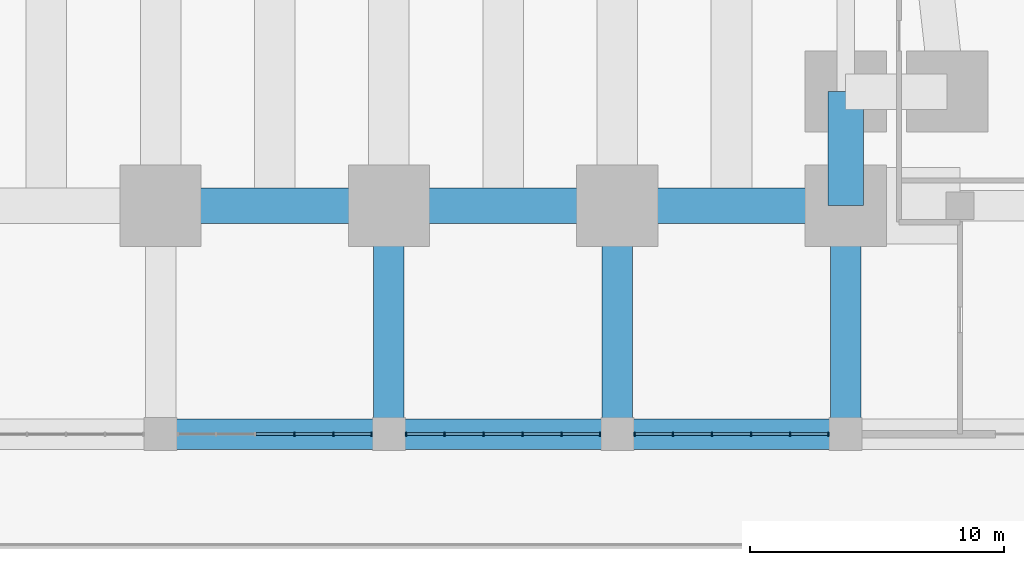
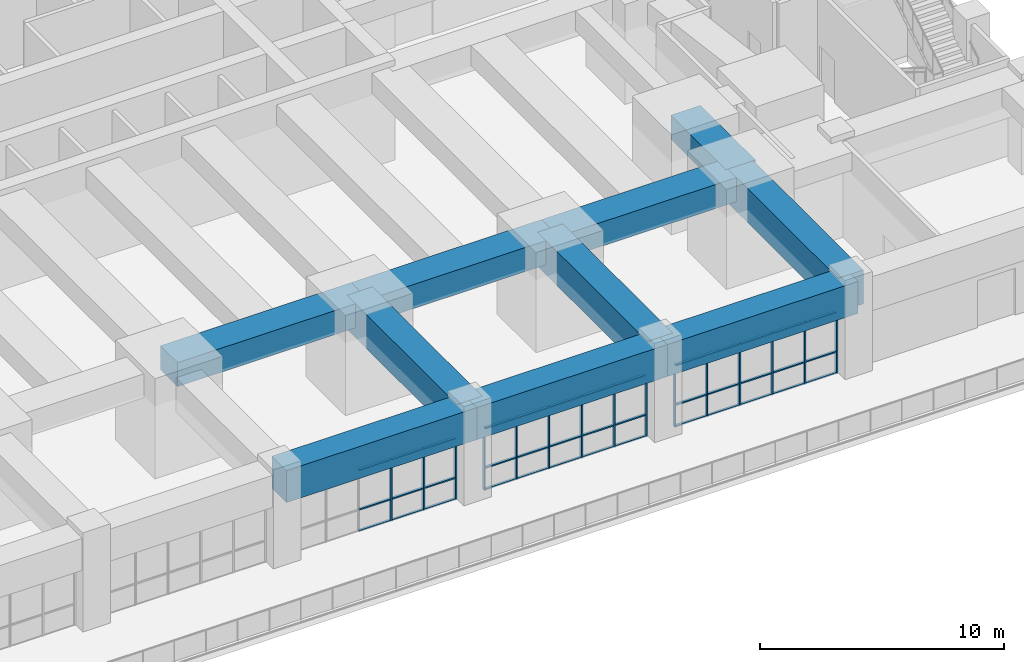
# One storey, part 6 of 27: 54 members, 10 beams, 3 elements without a shape of their own.
"""IFC4 building model written with IfcOpenShell, lengths in metres."""

from ifc_helpers import new_model, si_unit, direction, frame, origin, origin_2d, place, context, subcontext, project, spatial, rectangle, extrude, material, material_profile, profile_set, type_object, element, aggregate, save


model = new_model("IFC4")

# Units and contexts
model_context = context("Model", 3, precision=1e-05, world=origin(), true_north=direction((0.0, 1.0)))
body_context = subcontext(model_context, "Body", "Model", "MODEL_VIEW")
ifc_project = project(units=[si_unit("LENGTHUNIT", "METRE"), si_unit("AREAUNIT", "SQUARE_METRE"), si_unit("VOLUMEUNIT", "CUBIC_METRE"), si_unit("PLANEANGLEUNIT", "RADIAN"), si_unit("MASSUNIT", "GRAM", prefix="KILO")], contexts=[model_context])

# Site, building, storey
site_placement = place(None, origin())
site = spatial("IfcSite", under=ifc_project, at=site_placement, CompositionType="ELEMENT")
building_placement = place(site_placement, origin())
building = spatial("IfcBuilding", under=site, at=building_placement, Name="Kilele Tower Hotel", CompositionType="ELEMENT")
storey_placement = place(building_placement, frame((0.0, 0.0, 6.0)))
storey = spatial("IfcBuildingStorey", under=building, at=storey_placement, Name="L01", CompositionType="ELEMENT", Elevation=6.0)

# Beams
ifc_material_1 = material(Name="Concrete C60/75", Category="concrete")
ifc_material_profile_1 = material_profile(ifc_material_1, rectangle(XDim=1.199951171875, YDim=1.60009765625, at=origin_2d()))
ifc_profile_set_1 = profile_set([ifc_material_profile_1], Name="Concrete C60/75")
beam_type_1 = type_object("IfcBeamType", Name="Beam RC 1200x1600 C60/75", PredefinedType="BEAM", material=ifc_profile_set_1)
for number, where, z_axis, x_axis, name in (
    (1, (18.0, -9.0, 3.89990234375), (1.0, 0.0, 0.0), (0.0, 1.0, 0.0), "Beam PB2 level L02"),
    (2, (27.0, -9.0, 3.89990234375), (1.0, 0.0, 0.0), (0.0, 1.0, 0.0), "Beam PB2 level L02"),
    (3, (36.0, -9.0, 3.89990234375), (1.0, 0.0, 0.0), (0.0, 1.0, 0.0), "Beam PB2 level L02"),
):
    element("IfcBeam", number, at=place(storey_placement, frame(where, z_axis=z_axis, x_axis=x_axis)), inside=storey, type_object=beam_type_1, Name=name, PredefinedType="BEAM", context=body_context, shape_type="SweptSolid", body=[
        extrude(rectangle(XDim=1.199951171875, YDim=1.60009765625, at=origin_2d()), origin(), (0.0, 0.0, 1.0), 9.0),
    ])

# Curtain wall, members
ifc_material_2 = material(Name="Aluminium curtain wall, clear double glazing", Category="aluminium")
curtain_wall_type = type_object("IfcCurtainWallType", Name="Podium curtain wall CW-1", PredefinedType="NOTDEFINED", material=ifc_material_2)
curtain_wall_1_placement = place(storey_placement, origin())
curtain_wall_1 = element("IfcCurtainWall", 4, at=curtain_wall_1_placement, inside=storey, type_object=curtain_wall_type, Name="Podium curtain wall CW-1 L01", PredefinedType="NOTDEFINED")
ifc_material_3 = material(Name="Aluminium EN AW-6063 T6", Category="aluminium")
ifc_material_profile_2 = material_profile(ifc_material_3, rectangle(XDim=0.159912109375, YDim=0.06005859375, at=origin_2d()))
ifc_profile_set_2 = profile_set([ifc_material_profile_2], Name="Aluminium EN AW-6063 T6")
member_type_1 = type_object("IfcMemberType", Name="Mullion 60x160 CW-1", PredefinedType="MULLION", material=ifc_profile_set_2)
member_1_placement = place(storey_placement, frame((23.27001953125, -9.0, 0.0), z_axis=(0.0, 0.0, 1.0), x_axis=(0.0, 1.0, 0.0)))
member_1 = element("IfcMember", 5, at=member_1_placement, type_object=member_type_1, Name="CW-1 mullion 4", PredefinedType="MULLION", context=body_context, shape_type="SweptSolid", body=[
    extrude(rectangle(XDim=0.159912109375, YDim=0.06005859375, at=origin_2d()), origin(), (0.0, 0.0, 1.0), 3.10009765625),
])
member_2_placement = place(storey_placement, frame((24.81005859375, -9.0, 0.0), z_axis=(0.0, 0.0, 1.0), x_axis=(0.0, 1.0, 0.0)))
member_2 = element("IfcMember", 6, at=member_2_placement, type_object=member_type_1, Name="CW-1 mullion 5", PredefinedType="MULLION", context=body_context, shape_type="SweptSolid", body=[
    extrude(rectangle(XDim=0.159912109375, YDim=0.06005859375, at=origin_2d()), origin(), (0.0, 0.0, 1.0), 3.10009765625),
])
member_3_placement = place(storey_placement, frame((26.320068359375, -9.0, 0.0), z_axis=(0.0, 0.0, 1.0), x_axis=(0.0, 1.0, 0.0)))
member_3 = element("IfcMember", 7, at=member_3_placement, type_object=member_type_1, Name="CW-1 mullion 6", PredefinedType="MULLION", context=body_context, shape_type="SweptSolid", body=[
    extrude(rectangle(XDim=0.159912109375, YDim=0.06005859375, at=origin_2d()), origin(), (0.0, 0.0, 1.0), 3.10009765625),
])

curtain_wall_2_placement = place(storey_placement, origin())
curtain_wall_2 = element("IfcCurtainWall", 8, at=curtain_wall_2_placement, inside=storey, type_object=curtain_wall_type, Name="Podium curtain wall CW-1 L01", PredefinedType="NOTDEFINED")
member_4_placement = place(storey_placement, frame((27.679931640625, -9.0, 0.0), z_axis=(0.0, 0.0, 1.0), x_axis=(0.0, 1.0, 0.0)))
member_4 = element("IfcMember", 9, at=member_4_placement, type_object=member_type_1, Name="CW-1 mullion 1", PredefinedType="MULLION", context=body_context, shape_type="SweptSolid", body=[
    extrude(rectangle(XDim=0.159912109375, YDim=0.06005859375, at=origin_2d()), origin(), (0.0, 0.0, 1.0), 3.10009765625),
])
member_5_placement = place(storey_placement, frame((29.18994140625, -9.0, 0.0), z_axis=(0.0, 0.0, 1.0), x_axis=(0.0, 1.0, 0.0)))
member_5 = element("IfcMember", 10, at=member_5_placement, type_object=member_type_1, Name="CW-1 mullion 2", PredefinedType="MULLION", context=body_context, shape_type="SweptSolid", body=[
    extrude(rectangle(XDim=0.159912109375, YDim=0.06005859375, at=origin_2d()), origin(), (0.0, 0.0, 1.0), 3.10009765625),
])
member_6_placement = place(storey_placement, frame((30.72998046875, -9.0, 0.0), z_axis=(0.0, 0.0, 1.0), x_axis=(0.0, 1.0, 0.0)))
member_6 = element("IfcMember", 11, at=member_6_placement, type_object=member_type_1, Name="CW-1 mullion 3", PredefinedType="MULLION", context=body_context, shape_type="SweptSolid", body=[
    extrude(rectangle(XDim=0.159912109375, YDim=0.06005859375, at=origin_2d()), origin(), (0.0, 0.0, 1.0), 3.10009765625),
])
member_7_placement = place(storey_placement, frame((32.27001953125, -9.0, 0.0), z_axis=(0.0, 0.0, 1.0), x_axis=(0.0, 1.0, 0.0)))
member_7 = element("IfcMember", 12, at=member_7_placement, type_object=member_type_1, Name="CW-1 mullion 4", PredefinedType="MULLION", context=body_context, shape_type="SweptSolid", body=[
    extrude(rectangle(XDim=0.159912109375, YDim=0.06005859375, at=origin_2d()), origin(), (0.0, 0.0, 1.0), 3.10009765625),
])
member_8_placement = place(storey_placement, frame((33.81005859375, -9.0, 0.0), z_axis=(0.0, 0.0, 1.0), x_axis=(0.0, 1.0, 0.0)))
member_8 = element("IfcMember", 13, at=member_8_placement, type_object=member_type_1, Name="CW-1 mullion 5", PredefinedType="MULLION", context=body_context, shape_type="SweptSolid", body=[
    extrude(rectangle(XDim=0.159912109375, YDim=0.06005859375, at=origin_2d()), origin(), (0.0, 0.0, 1.0), 3.10009765625),
])
member_9_placement = place(storey_placement, frame((35.320068359375, -9.0, 0.0), z_axis=(0.0, 0.0, 1.0), x_axis=(0.0, 1.0, 0.0)))
member_9 = element("IfcMember", 14, at=member_9_placement, type_object=member_type_1, Name="CW-1 mullion 6", PredefinedType="MULLION", context=body_context, shape_type="SweptSolid", body=[
    extrude(rectangle(XDim=0.159912109375, YDim=0.06005859375, at=origin_2d()), origin(), (0.0, 0.0, 1.0), 3.10009765625),
])

curtain_wall_3_placement = place(storey_placement, origin())
curtain_wall_3 = element("IfcCurtainWall", 15, at=curtain_wall_3_placement, inside=storey, type_object=curtain_wall_type, Name="Podium curtain wall CW-1 L01", PredefinedType="NOTDEFINED")
member_10_placement = place(storey_placement, frame((36.679931640625, -9.0, 0.0), z_axis=(0.0, 0.0, 1.0), x_axis=(0.0, 1.0, 0.0)))
member_10 = element("IfcMember", 16, at=member_10_placement, type_object=member_type_1, Name="CW-1 mullion 1", PredefinedType="MULLION", context=body_context, shape_type="SweptSolid", body=[
    extrude(rectangle(XDim=0.159912109375, YDim=0.06005859375, at=origin_2d()), origin(), (0.0, 0.0, 1.0), 3.10009765625),
])
member_11_placement = place(storey_placement, frame((38.18994140625, -9.0, 0.0), z_axis=(0.0, 0.0, 1.0), x_axis=(0.0, 1.0, 0.0)))
member_11 = element("IfcMember", 17, at=member_11_placement, type_object=member_type_1, Name="CW-1 mullion 2", PredefinedType="MULLION", context=body_context, shape_type="SweptSolid", body=[
    extrude(rectangle(XDim=0.159912109375, YDim=0.06005859375, at=origin_2d()), origin(), (0.0, 0.0, 1.0), 3.10009765625),
])
member_12_placement = place(storey_placement, frame((39.72998046875, -9.0, 0.0), z_axis=(0.0, 0.0, 1.0), x_axis=(0.0, 1.0, 0.0)))
member_12 = element("IfcMember", 18, at=member_12_placement, type_object=member_type_1, Name="CW-1 mullion 3", PredefinedType="MULLION", context=body_context, shape_type="SweptSolid", body=[
    extrude(rectangle(XDim=0.159912109375, YDim=0.06005859375, at=origin_2d()), origin(), (0.0, 0.0, 1.0), 3.10009765625),
])
member_13_placement = place(storey_placement, frame((41.27001953125, -9.0, 0.0), z_axis=(0.0, 0.0, 1.0), x_axis=(0.0, 1.0, 0.0)))
member_13 = element("IfcMember", 19, at=member_13_placement, type_object=member_type_1, Name="CW-1 mullion 4", PredefinedType="MULLION", context=body_context, shape_type="SweptSolid", body=[
    extrude(rectangle(XDim=0.159912109375, YDim=0.06005859375, at=origin_2d()), origin(), (0.0, 0.0, 1.0), 3.10009765625),
])
member_14_placement = place(storey_placement, frame((42.81005859375, -9.0, 0.0), z_axis=(0.0, 0.0, 1.0), x_axis=(0.0, 1.0, 0.0)))
member_14 = element("IfcMember", 20, at=member_14_placement, type_object=member_type_1, Name="CW-1 mullion 5", PredefinedType="MULLION", context=body_context, shape_type="SweptSolid", body=[
    extrude(rectangle(XDim=0.159912109375, YDim=0.06005859375, at=origin_2d()), origin(), (0.0, 0.0, 1.0), 3.10009765625),
])
member_15_placement = place(storey_placement, frame((44.320068359375, -9.0, 0.0), z_axis=(0.0, 0.0, 1.0), x_axis=(0.0, 1.0, 0.0)))
member_15 = element("IfcMember", 21, at=member_15_placement, type_object=member_type_1, Name="CW-1 mullion 6", PredefinedType="MULLION", context=body_context, shape_type="SweptSolid", body=[
    extrude(rectangle(XDim=0.159912109375, YDim=0.06005859375, at=origin_2d()), origin(), (0.0, 0.0, 1.0), 3.10009765625),
])

# Beams
ifc_material_4 = material(Name="Concrete C60/75", Category="concrete")
ifc_material_profile_3 = material_profile(ifc_material_4, rectangle(XDim=1.39990234375, YDim=1.199951171875, at=origin_2d()))
ifc_profile_set_3 = profile_set([ifc_material_profile_3], Name="Concrete C60/75")
beam_type_2 = type_object("IfcBeamType", Name="Spandrel RC 1400x1200 C60/75", PredefinedType="SPANDREL", material=ifc_profile_set_3)
for number, where, z_axis, x_axis, name in (
    (22, (18.0, 0.0, 4.10009765625), (1.0, 0.0, 0.0), (0.0, 1.0, 0.0), "Spandrel SP10 level L02"),
    (23, (27.0, 0.0, 4.10009765625), (1.0, 0.0, 0.0), (0.0, 1.0, 0.0), "Spandrel SP10 level L02"),
    (24, (36.0, 0.0, 4.10009765625), (1.0, 0.0, 0.0), (0.0, 1.0, 0.0), "Spandrel SP10 level L02"),
):
    element("IfcBeam", number, at=place(storey_placement, frame(where, z_axis=z_axis, x_axis=x_axis)), inside=storey, type_object=beam_type_2, Name=name, PredefinedType="SPANDREL", context=body_context, shape_type="SweptSolid", body=[
        extrude(rectangle(XDim=1.39990234375, YDim=1.199951171875, at=origin_2d()), origin(), (0.0, 0.0, 1.0), 9.0),
    ])
beam_placement = place(storey_placement, frame((45.0, 0.0, 4.10009765625), z_axis=(0.0, 1.0, 0.0), x_axis=(-1.0, 0.0, 0.0)))
element("IfcBeam", 25, at=beam_placement, inside=storey, type_object=beam_type_2, Name="Spandrel SP10 level L02", PredefinedType="SPANDREL", context=body_context, shape_type="SweptSolid", body=[
    extrude(rectangle(XDim=1.39990234375, YDim=1.199951171875, at=origin_2d()), origin(), (0.0, 0.0, 1.0), 4.5),
])
ifc_material_5 = material(Name="Concrete C60/75", Category="concrete")
ifc_material_profile_4 = material_profile(ifc_material_5, rectangle(XDim=1.199951171875, YDim=1.699951171875, at=origin_2d()))
ifc_profile_set_4 = profile_set([ifc_material_profile_4], Name="Concrete C60/75")
beam_type_3 = type_object("IfcBeamType", Name="Transfer girder RC 1200x1700 C60/75", PredefinedType="USERDEFINED", material=ifc_profile_set_4)
for number, where, z_axis, x_axis, name in (
    (26, (27.0, -9.0, 3.85009765625), (0.0, 1.0, 0.0), (-1.0, 0.0, 0.0), "Transfer girder TG1 level L02"),
    (27, (36.0, -9.0, 3.85009765625), (0.0, 1.0, 0.0), (-1.0, 0.0, 0.0), "Transfer girder TG1 level L02"),
    (28, (45.0, -9.0, 3.85009765625), (0.0, 1.0, 0.0), (-1.0, 0.0, 0.0), "Transfer girder TG1 level L02"),
):
    element("IfcBeam", number, at=place(storey_placement, frame(where, z_axis=z_axis, x_axis=x_axis)), inside=storey, type_object=beam_type_3, Name=name, ObjectType="TRANSFER GIRDER", PredefinedType="USERDEFINED", context=body_context, shape_type="SweptSolid", body=[
        extrude(rectangle(XDim=1.199951171875, YDim=1.699951171875, at=origin_2d()), origin(), (0.0, 0.0, 1.0), 9.0),
    ])

# Member
ifc_material_6 = material(Name="Aluminium EN AW-6063 T6", Category="aluminium")
ifc_material_profile_5 = material_profile(ifc_material_6, rectangle(XDim=0.1201171875, YDim=0.06005859375, at=origin_2d()))
ifc_profile_set_5 = profile_set([ifc_material_profile_5], Name="Aluminium EN AW-6063 T6")
member_type_2 = type_object("IfcMemberType", Name="Transom 60x120 CW-1", PredefinedType="USERDEFINED", material=ifc_profile_set_5)
member_16_placement = place(storey_placement, frame((21.760009765625, -9.0, 0.030029296875), z_axis=(1.0, 0.0, 0.0), x_axis=(0.0, 1.0, 0.0)))
member_16 = element("IfcMember", 29, at=member_16_placement, type_object=member_type_2, Name="CW-1 transom 3.1", ObjectType="TRANSOM", PredefinedType="USERDEFINED", context=body_context, shape_type="SweptSolid", body=[
    extrude(rectangle(XDim=0.1201171875, YDim=0.06005859375, at=origin_2d()), origin(), (0.0, 0.0, 1.0), 1.47998046875),
])

member_17_placement = place(storey_placement, frame((21.760009765625, -9.0, 1.10009765625), z_axis=(1.0, 0.0, 0.0), x_axis=(0.0, 1.0, 0.0)))
member_17 = element("IfcMember", 30, at=member_17_placement, type_object=member_type_2, Name="CW-1 transom 3.2", ObjectType="TRANSOM", PredefinedType="USERDEFINED", context=body_context, shape_type="SweptSolid", body=[
    extrude(rectangle(XDim=0.1201171875, YDim=0.06005859375, at=origin_2d()), origin(), (0.0, 0.0, 1.0), 1.47998046875),
])

member_18_placement = place(storey_placement, frame((21.760009765625, -9.0, 3.070068359375), z_axis=(1.0, 0.0, 0.0), x_axis=(0.0, 1.0, 0.0)))
member_18 = element("IfcMember", 31, at=member_18_placement, type_object=member_type_2, Name="CW-1 transom 3.3", ObjectType="TRANSOM", PredefinedType="USERDEFINED", context=body_context, shape_type="SweptSolid", body=[
    extrude(rectangle(XDim=0.1201171875, YDim=0.06005859375, at=origin_2d()), origin(), (0.0, 0.0, 1.0), 1.47998046875),
])

member_19_placement = place(storey_placement, frame((23.300048828125, -9.0, 0.030029296875), z_axis=(1.0, 0.0, 0.0), x_axis=(0.0, 1.0, 0.0)))
member_19 = element("IfcMember", 32, at=member_19_placement, type_object=member_type_2, Name="CW-1 transom 4.1", ObjectType="TRANSOM", PredefinedType="USERDEFINED", context=body_context, shape_type="SweptSolid", body=[
    extrude(rectangle(XDim=0.1201171875, YDim=0.06005859375, at=origin_2d()), origin(), (0.0, 0.0, 1.0), 1.47998046875),
])

member_20_placement = place(storey_placement, frame((23.300048828125, -9.0, 1.10009765625), z_axis=(1.0, 0.0, 0.0), x_axis=(0.0, 1.0, 0.0)))
member_20 = element("IfcMember", 33, at=member_20_placement, type_object=member_type_2, Name="CW-1 transom 4.2", ObjectType="TRANSOM", PredefinedType="USERDEFINED", context=body_context, shape_type="SweptSolid", body=[
    extrude(rectangle(XDim=0.1201171875, YDim=0.06005859375, at=origin_2d()), origin(), (0.0, 0.0, 1.0), 1.47998046875),
])

member_21_placement = place(storey_placement, frame((23.300048828125, -9.0, 3.070068359375), z_axis=(1.0, 0.0, 0.0), x_axis=(0.0, 1.0, 0.0)))
member_21 = element("IfcMember", 34, at=member_21_placement, type_object=member_type_2, Name="CW-1 transom 4.3", ObjectType="TRANSOM", PredefinedType="USERDEFINED", context=body_context, shape_type="SweptSolid", body=[
    extrude(rectangle(XDim=0.1201171875, YDim=0.06005859375, at=origin_2d()), origin(), (0.0, 0.0, 1.0), 1.47998046875),
])

member_22_placement = place(storey_placement, frame((24.840087890625, -9.0, 0.030029296875), z_axis=(1.0, 0.0, 0.0), x_axis=(0.0, 1.0, 0.0)))
member_22 = element("IfcMember", 35, at=member_22_placement, type_object=member_type_2, Name="CW-1 transom 5.1", ObjectType="TRANSOM", PredefinedType="USERDEFINED", context=body_context, shape_type="SweptSolid", body=[
    extrude(rectangle(XDim=0.1201171875, YDim=0.06005859375, at=origin_2d()), origin(), (0.0, 0.0, 1.0), 1.449951171875),
])

member_23_placement = place(storey_placement, frame((24.840087890625, -9.0, 1.10009765625), z_axis=(1.0, 0.0, 0.0), x_axis=(0.0, 1.0, 0.0)))
member_23 = element("IfcMember", 36, at=member_23_placement, type_object=member_type_2, Name="CW-1 transom 5.2", ObjectType="TRANSOM", PredefinedType="USERDEFINED", context=body_context, shape_type="SweptSolid", body=[
    extrude(rectangle(XDim=0.1201171875, YDim=0.06005859375, at=origin_2d()), origin(), (0.0, 0.0, 1.0), 1.449951171875),
])

member_24_placement = place(storey_placement, frame((24.840087890625, -9.0, 3.070068359375), z_axis=(1.0, 0.0, 0.0), x_axis=(0.0, 1.0, 0.0)))
member_24 = element("IfcMember", 37, at=member_24_placement, type_object=member_type_2, Name="CW-1 transom 5.3", ObjectType="TRANSOM", PredefinedType="USERDEFINED", context=body_context, shape_type="SweptSolid", body=[
    extrude(rectangle(XDim=0.1201171875, YDim=0.06005859375, at=origin_2d()), origin(), (0.0, 0.0, 1.0), 1.449951171875),
])

aggregate(curtain_wall_1, [member_1, member_2, member_3, member_16, member_17, member_18, member_19, member_20, member_21, member_22, member_23, member_24])

member_25_placement = place(storey_placement, frame((27.7099609375, -9.0, 0.030029296875), z_axis=(1.0, 0.0, 0.0), x_axis=(0.0, 1.0, 0.0)))
member_25 = element("IfcMember", 38, at=member_25_placement, type_object=member_type_2, Name="CW-1 transom 1.1", ObjectType="TRANSOM", PredefinedType="USERDEFINED", context=body_context, shape_type="SweptSolid", body=[
    extrude(rectangle(XDim=0.1201171875, YDim=0.06005859375, at=origin_2d()), origin(), (0.0, 0.0, 1.0), 1.449951171875),
])

member_26_placement = place(storey_placement, frame((27.7099609375, -9.0, 1.10009765625), z_axis=(1.0, 0.0, 0.0), x_axis=(0.0, 1.0, 0.0)))
member_26 = element("IfcMember", 39, at=member_26_placement, type_object=member_type_2, Name="CW-1 transom 1.2", ObjectType="TRANSOM", PredefinedType="USERDEFINED", context=body_context, shape_type="SweptSolid", body=[
    extrude(rectangle(XDim=0.1201171875, YDim=0.06005859375, at=origin_2d()), origin(), (0.0, 0.0, 1.0), 1.449951171875),
])

member_27_placement = place(storey_placement, frame((27.7099609375, -9.0, 3.070068359375), z_axis=(1.0, 0.0, 0.0), x_axis=(0.0, 1.0, 0.0)))
member_27 = element("IfcMember", 40, at=member_27_placement, type_object=member_type_2, Name="CW-1 transom 1.3", ObjectType="TRANSOM", PredefinedType="USERDEFINED", context=body_context, shape_type="SweptSolid", body=[
    extrude(rectangle(XDim=0.1201171875, YDim=0.06005859375, at=origin_2d()), origin(), (0.0, 0.0, 1.0), 1.449951171875),
])

member_28_placement = place(storey_placement, frame((29.219970703125, -9.0, 0.030029296875), z_axis=(1.0, 0.0, 0.0), x_axis=(0.0, 1.0, 0.0)))
member_28 = element("IfcMember", 41, at=member_28_placement, type_object=member_type_2, Name="CW-1 transom 2.1", ObjectType="TRANSOM", PredefinedType="USERDEFINED", context=body_context, shape_type="SweptSolid", body=[
    extrude(rectangle(XDim=0.1201171875, YDim=0.06005859375, at=origin_2d()), origin(), (0.0, 0.0, 1.0), 1.47998046875),
])

member_29_placement = place(storey_placement, frame((29.219970703125, -9.0, 1.10009765625), z_axis=(1.0, 0.0, 0.0), x_axis=(0.0, 1.0, 0.0)))
member_29 = element("IfcMember", 42, at=member_29_placement, type_object=member_type_2, Name="CW-1 transom 2.2", ObjectType="TRANSOM", PredefinedType="USERDEFINED", context=body_context, shape_type="SweptSolid", body=[
    extrude(rectangle(XDim=0.1201171875, YDim=0.06005859375, at=origin_2d()), origin(), (0.0, 0.0, 1.0), 1.47998046875),
])

member_30_placement = place(storey_placement, frame((29.219970703125, -9.0, 3.070068359375), z_axis=(1.0, 0.0, 0.0), x_axis=(0.0, 1.0, 0.0)))
member_30 = element("IfcMember", 43, at=member_30_placement, type_object=member_type_2, Name="CW-1 transom 2.3", ObjectType="TRANSOM", PredefinedType="USERDEFINED", context=body_context, shape_type="SweptSolid", body=[
    extrude(rectangle(XDim=0.1201171875, YDim=0.06005859375, at=origin_2d()), origin(), (0.0, 0.0, 1.0), 1.47998046875),
])

member_31_placement = place(storey_placement, frame((30.760009765625, -9.0, 0.030029296875), z_axis=(1.0, 0.0, 0.0), x_axis=(0.0, 1.0, 0.0)))
member_31 = element("IfcMember", 44, at=member_31_placement, type_object=member_type_2, Name="CW-1 transom 3.1", ObjectType="TRANSOM", PredefinedType="USERDEFINED", context=body_context, shape_type="SweptSolid", body=[
    extrude(rectangle(XDim=0.1201171875, YDim=0.06005859375, at=origin_2d()), origin(), (0.0, 0.0, 1.0), 1.47998046875),
])

member_32_placement = place(storey_placement, frame((30.760009765625, -9.0, 1.10009765625), z_axis=(1.0, 0.0, 0.0), x_axis=(0.0, 1.0, 0.0)))
member_32 = element("IfcMember", 45, at=member_32_placement, type_object=member_type_2, Name="CW-1 transom 3.2", ObjectType="TRANSOM", PredefinedType="USERDEFINED", context=body_context, shape_type="SweptSolid", body=[
    extrude(rectangle(XDim=0.1201171875, YDim=0.06005859375, at=origin_2d()), origin(), (0.0, 0.0, 1.0), 1.47998046875),
])

member_33_placement = place(storey_placement, frame((30.760009765625, -9.0, 3.070068359375), z_axis=(1.0, 0.0, 0.0), x_axis=(0.0, 1.0, 0.0)))
member_33 = element("IfcMember", 46, at=member_33_placement, type_object=member_type_2, Name="CW-1 transom 3.3", ObjectType="TRANSOM", PredefinedType="USERDEFINED", context=body_context, shape_type="SweptSolid", body=[
    extrude(rectangle(XDim=0.1201171875, YDim=0.06005859375, at=origin_2d()), origin(), (0.0, 0.0, 1.0), 1.47998046875),
])

member_34_placement = place(storey_placement, frame((32.300048828125, -9.0, 0.030029296875), z_axis=(1.0, 0.0, 0.0), x_axis=(0.0, 1.0, 0.0)))
member_34 = element("IfcMember", 47, at=member_34_placement, type_object=member_type_2, Name="CW-1 transom 4.1", ObjectType="TRANSOM", PredefinedType="USERDEFINED", context=body_context, shape_type="SweptSolid", body=[
    extrude(rectangle(XDim=0.1201171875, YDim=0.06005859375, at=origin_2d()), origin(), (0.0, 0.0, 1.0), 1.47998046875),
])

member_35_placement = place(storey_placement, frame((32.300048828125, -9.0, 1.10009765625), z_axis=(1.0, 0.0, 0.0), x_axis=(0.0, 1.0, 0.0)))
member_35 = element("IfcMember", 48, at=member_35_placement, type_object=member_type_2, Name="CW-1 transom 4.2", ObjectType="TRANSOM", PredefinedType="USERDEFINED", context=body_context, shape_type="SweptSolid", body=[
    extrude(rectangle(XDim=0.1201171875, YDim=0.06005859375, at=origin_2d()), origin(), (0.0, 0.0, 1.0), 1.47998046875),
])

member_36_placement = place(storey_placement, frame((32.300048828125, -9.0, 3.070068359375), z_axis=(1.0, 0.0, 0.0), x_axis=(0.0, 1.0, 0.0)))
member_36 = element("IfcMember", 49, at=member_36_placement, type_object=member_type_2, Name="CW-1 transom 4.3", ObjectType="TRANSOM", PredefinedType="USERDEFINED", context=body_context, shape_type="SweptSolid", body=[
    extrude(rectangle(XDim=0.1201171875, YDim=0.06005859375, at=origin_2d()), origin(), (0.0, 0.0, 1.0), 1.47998046875),
])

member_37_placement = place(storey_placement, frame((33.840087890625, -9.0, 0.030029296875), z_axis=(1.0, 0.0, 0.0), x_axis=(0.0, 1.0, 0.0)))
member_37 = element("IfcMember", 50, at=member_37_placement, type_object=member_type_2, Name="CW-1 transom 5.1", ObjectType="TRANSOM", PredefinedType="USERDEFINED", context=body_context, shape_type="SweptSolid", body=[
    extrude(rectangle(XDim=0.1201171875, YDim=0.06005859375, at=origin_2d()), origin(), (0.0, 0.0, 1.0), 1.449951171875),
])

member_38_placement = place(storey_placement, frame((33.840087890625, -9.0, 1.10009765625), z_axis=(1.0, 0.0, 0.0), x_axis=(0.0, 1.0, 0.0)))
member_38 = element("IfcMember", 51, at=member_38_placement, type_object=member_type_2, Name="CW-1 transom 5.2", ObjectType="TRANSOM", PredefinedType="USERDEFINED", context=body_context, shape_type="SweptSolid", body=[
    extrude(rectangle(XDim=0.1201171875, YDim=0.06005859375, at=origin_2d()), origin(), (0.0, 0.0, 1.0), 1.449951171875),
])

member_39_placement = place(storey_placement, frame((33.840087890625, -9.0, 3.070068359375), z_axis=(1.0, 0.0, 0.0), x_axis=(0.0, 1.0, 0.0)))
member_39 = element("IfcMember", 52, at=member_39_placement, type_object=member_type_2, Name="CW-1 transom 5.3", ObjectType="TRANSOM", PredefinedType="USERDEFINED", context=body_context, shape_type="SweptSolid", body=[
    extrude(rectangle(XDim=0.1201171875, YDim=0.06005859375, at=origin_2d()), origin(), (0.0, 0.0, 1.0), 1.449951171875),
])

aggregate(curtain_wall_2, [member_4, member_5, member_6, member_7, member_8, member_9, member_25, member_26, member_27, member_28, member_29, member_30, member_31, member_32, member_33, member_34, member_35, member_36, member_37, member_38, member_39])

member_40_placement = place(storey_placement, frame((36.7099609375, -9.0, 0.030029296875), z_axis=(1.0, 0.0, 0.0), x_axis=(0.0, 1.0, 0.0)))
member_40 = element("IfcMember", 53, at=member_40_placement, type_object=member_type_2, Name="CW-1 transom 1.1", ObjectType="TRANSOM", PredefinedType="USERDEFINED", context=body_context, shape_type="SweptSolid", body=[
    extrude(rectangle(XDim=0.1201171875, YDim=0.06005859375, at=origin_2d()), origin(), (0.0, 0.0, 1.0), 1.449951171875),
])

member_41_placement = place(storey_placement, frame((36.7099609375, -9.0, 1.10009765625), z_axis=(1.0, 0.0, 0.0), x_axis=(0.0, 1.0, 0.0)))
member_41 = element("IfcMember", 54, at=member_41_placement, type_object=member_type_2, Name="CW-1 transom 1.2", ObjectType="TRANSOM", PredefinedType="USERDEFINED", context=body_context, shape_type="SweptSolid", body=[
    extrude(rectangle(XDim=0.1201171875, YDim=0.06005859375, at=origin_2d()), origin(), (0.0, 0.0, 1.0), 1.449951171875),
])

member_42_placement = place(storey_placement, frame((36.7099609375, -9.0, 3.070068359375), z_axis=(1.0, 0.0, 0.0), x_axis=(0.0, 1.0, 0.0)))
member_42 = element("IfcMember", 55, at=member_42_placement, type_object=member_type_2, Name="CW-1 transom 1.3", ObjectType="TRANSOM", PredefinedType="USERDEFINED", context=body_context, shape_type="SweptSolid", body=[
    extrude(rectangle(XDim=0.1201171875, YDim=0.06005859375, at=origin_2d()), origin(), (0.0, 0.0, 1.0), 1.449951171875),
])

member_43_placement = place(storey_placement, frame((38.219970703125, -9.0, 0.030029296875), z_axis=(1.0, 0.0, 0.0), x_axis=(0.0, 1.0, 0.0)))
member_43 = element("IfcMember", 56, at=member_43_placement, type_object=member_type_2, Name="CW-1 transom 2.1", ObjectType="TRANSOM", PredefinedType="USERDEFINED", context=body_context, shape_type="SweptSolid", body=[
    extrude(rectangle(XDim=0.1201171875, YDim=0.06005859375, at=origin_2d()), origin(), (0.0, 0.0, 1.0), 1.47998046875),
])

member_44_placement = place(storey_placement, frame((38.219970703125, -9.0, 1.10009765625), z_axis=(1.0, 0.0, 0.0), x_axis=(0.0, 1.0, 0.0)))
member_44 = element("IfcMember", 57, at=member_44_placement, type_object=member_type_2, Name="CW-1 transom 2.2", ObjectType="TRANSOM", PredefinedType="USERDEFINED", context=body_context, shape_type="SweptSolid", body=[
    extrude(rectangle(XDim=0.1201171875, YDim=0.06005859375, at=origin_2d()), origin(), (0.0, 0.0, 1.0), 1.47998046875),
])

member_45_placement = place(storey_placement, frame((38.219970703125, -9.0, 3.070068359375), z_axis=(1.0, 0.0, 0.0), x_axis=(0.0, 1.0, 0.0)))
member_45 = element("IfcMember", 58, at=member_45_placement, type_object=member_type_2, Name="CW-1 transom 2.3", ObjectType="TRANSOM", PredefinedType="USERDEFINED", context=body_context, shape_type="SweptSolid", body=[
    extrude(rectangle(XDim=0.1201171875, YDim=0.06005859375, at=origin_2d()), origin(), (0.0, 0.0, 1.0), 1.47998046875),
])

member_46_placement = place(storey_placement, frame((39.760009765625, -9.0, 0.030029296875), z_axis=(1.0, 0.0, 0.0), x_axis=(0.0, 1.0, 0.0)))
member_46 = element("IfcMember", 59, at=member_46_placement, type_object=member_type_2, Name="CW-1 transom 3.1", ObjectType="TRANSOM", PredefinedType="USERDEFINED", context=body_context, shape_type="SweptSolid", body=[
    extrude(rectangle(XDim=0.1201171875, YDim=0.06005859375, at=origin_2d()), origin(), (0.0, 0.0, 1.0), 1.47998046875),
])

member_47_placement = place(storey_placement, frame((39.760009765625, -9.0, 1.10009765625), z_axis=(1.0, 0.0, 0.0), x_axis=(0.0, 1.0, 0.0)))
member_47 = element("IfcMember", 60, at=member_47_placement, type_object=member_type_2, Name="CW-1 transom 3.2", ObjectType="TRANSOM", PredefinedType="USERDEFINED", context=body_context, shape_type="SweptSolid", body=[
    extrude(rectangle(XDim=0.1201171875, YDim=0.06005859375, at=origin_2d()), origin(), (0.0, 0.0, 1.0), 1.47998046875),
])

member_48_placement = place(storey_placement, frame((39.760009765625, -9.0, 3.070068359375), z_axis=(1.0, 0.0, 0.0), x_axis=(0.0, 1.0, 0.0)))
member_48 = element("IfcMember", 61, at=member_48_placement, type_object=member_type_2, Name="CW-1 transom 3.3", ObjectType="TRANSOM", PredefinedType="USERDEFINED", context=body_context, shape_type="SweptSolid", body=[
    extrude(rectangle(XDim=0.1201171875, YDim=0.06005859375, at=origin_2d()), origin(), (0.0, 0.0, 1.0), 1.47998046875),
])

member_49_placement = place(storey_placement, frame((41.300048828125, -9.0, 0.030029296875), z_axis=(1.0, 0.0, 0.0), x_axis=(0.0, 1.0, 0.0)))
member_49 = element("IfcMember", 62, at=member_49_placement, type_object=member_type_2, Name="CW-1 transom 4.1", ObjectType="TRANSOM", PredefinedType="USERDEFINED", context=body_context, shape_type="SweptSolid", body=[
    extrude(rectangle(XDim=0.1201171875, YDim=0.06005859375, at=origin_2d()), origin(), (0.0, 0.0, 1.0), 1.47998046875),
])

member_50_placement = place(storey_placement, frame((41.300048828125, -9.0, 1.10009765625), z_axis=(1.0, 0.0, 0.0), x_axis=(0.0, 1.0, 0.0)))
member_50 = element("IfcMember", 63, at=member_50_placement, type_object=member_type_2, Name="CW-1 transom 4.2", ObjectType="TRANSOM", PredefinedType="USERDEFINED", context=body_context, shape_type="SweptSolid", body=[
    extrude(rectangle(XDim=0.1201171875, YDim=0.06005859375, at=origin_2d()), origin(), (0.0, 0.0, 1.0), 1.47998046875),
])

member_51_placement = place(storey_placement, frame((41.300048828125, -9.0, 3.070068359375), z_axis=(1.0, 0.0, 0.0), x_axis=(0.0, 1.0, 0.0)))
member_51 = element("IfcMember", 64, at=member_51_placement, type_object=member_type_2, Name="CW-1 transom 4.3", ObjectType="TRANSOM", PredefinedType="USERDEFINED", context=body_context, shape_type="SweptSolid", body=[
    extrude(rectangle(XDim=0.1201171875, YDim=0.06005859375, at=origin_2d()), origin(), (0.0, 0.0, 1.0), 1.47998046875),
])

member_52_placement = place(storey_placement, frame((42.840087890625, -9.0, 0.030029296875), z_axis=(1.0, 0.0, 0.0), x_axis=(0.0, 1.0, 0.0)))
member_52 = element("IfcMember", 65, at=member_52_placement, type_object=member_type_2, Name="CW-1 transom 5.1", ObjectType="TRANSOM", PredefinedType="USERDEFINED", context=body_context, shape_type="SweptSolid", body=[
    extrude(rectangle(XDim=0.1201171875, YDim=0.06005859375, at=origin_2d()), origin(), (0.0, 0.0, 1.0), 1.449951171875),
])

member_53_placement = place(storey_placement, frame((42.840087890625, -9.0, 1.10009765625), z_axis=(1.0, 0.0, 0.0), x_axis=(0.0, 1.0, 0.0)))
member_53 = element("IfcMember", 66, at=member_53_placement, type_object=member_type_2, Name="CW-1 transom 5.2", ObjectType="TRANSOM", PredefinedType="USERDEFINED", context=body_context, shape_type="SweptSolid", body=[
    extrude(rectangle(XDim=0.1201171875, YDim=0.06005859375, at=origin_2d()), origin(), (0.0, 0.0, 1.0), 1.449951171875),
])

member_54_placement = place(storey_placement, frame((42.840087890625, -9.0, 3.070068359375), z_axis=(1.0, 0.0, 0.0), x_axis=(0.0, 1.0, 0.0)))
member_54 = element("IfcMember", 67, at=member_54_placement, type_object=member_type_2, Name="CW-1 transom 5.3", ObjectType="TRANSOM", PredefinedType="USERDEFINED", context=body_context, shape_type="SweptSolid", body=[
    extrude(rectangle(XDim=0.1201171875, YDim=0.06005859375, at=origin_2d()), origin(), (0.0, 0.0, 1.0), 1.449951171875),
])

aggregate(curtain_wall_3, [member_10, member_11, member_12, member_13, member_14, member_15, member_40, member_41, member_42, member_43, member_44, member_45, member_46, member_47, member_48, member_49, member_50, member_51, member_52, member_53, member_54])

save(model, "model.ifc")
